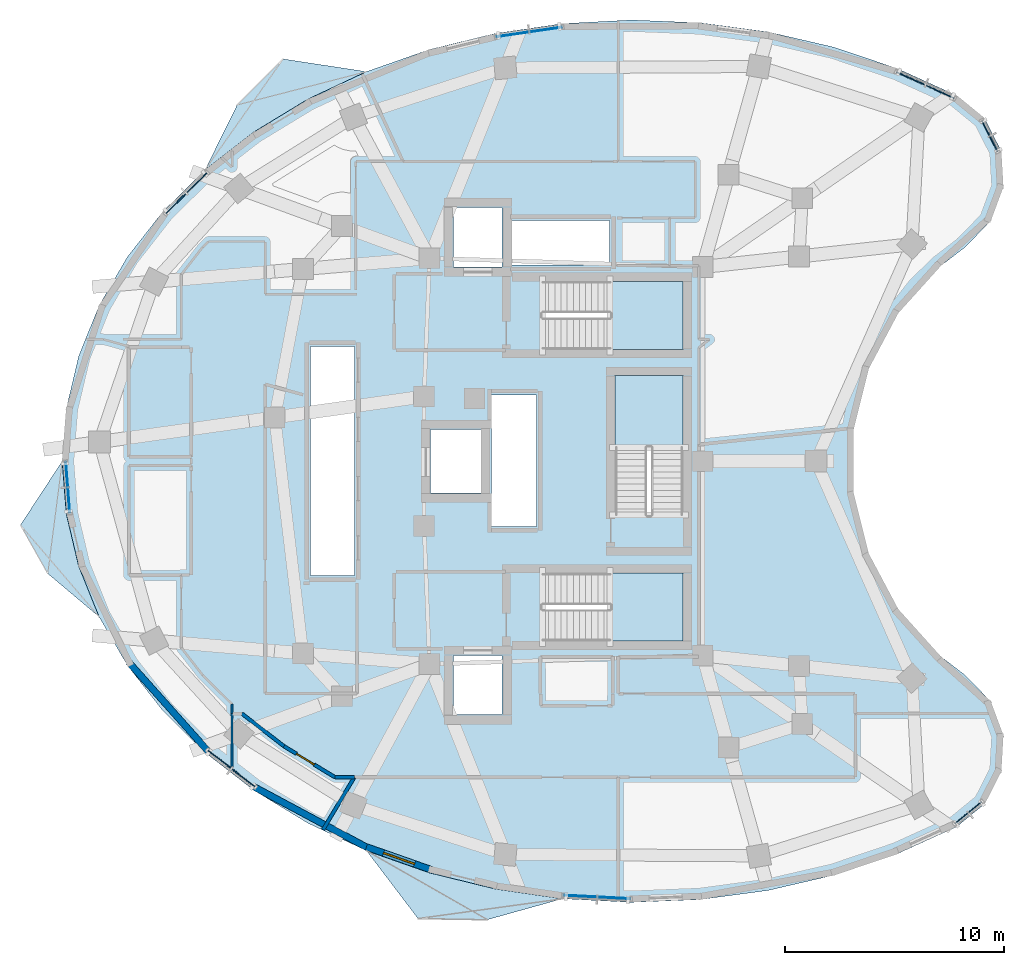
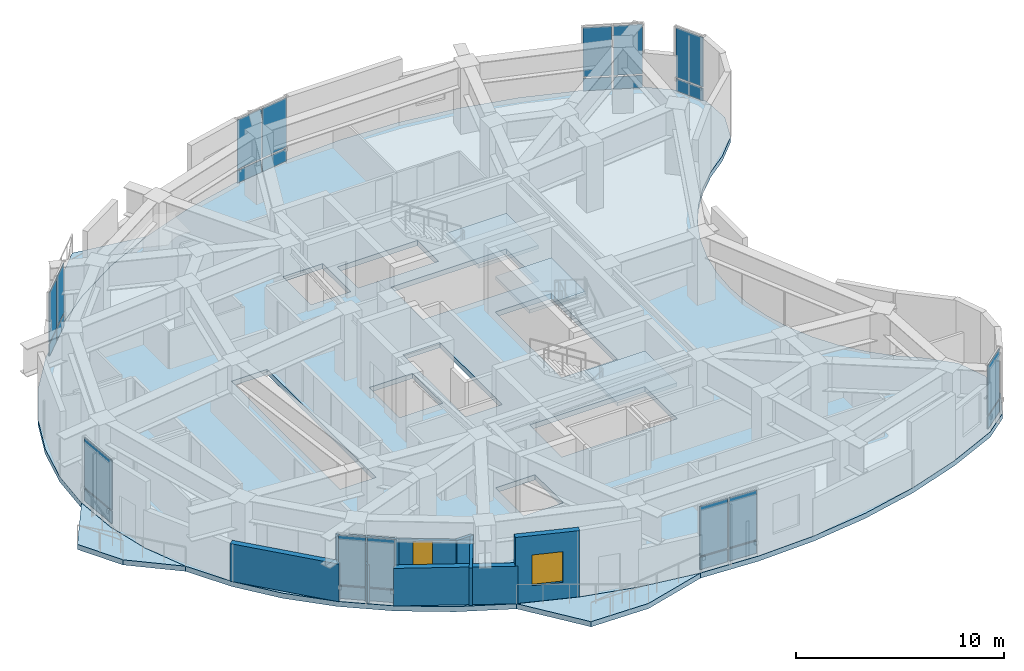
# One storey, part 6 of 13: 26 plates, 9 walls, 7 slabs, 1 door, 1 window, 2 openings, 11 elements without a shape of their own.
"""IFC4 building model written with IfcOpenShell, lengths in metres."""

from ifc_helpers import new_model, si_unit, direction, frame, frame_2d, origin, origin_2d, place, context, subcontext, project, spatial, polyline, rectangle, outline, extrude, material, layer, layer_set, type_object, element, fill, aggregate, save


model = new_model("IFC4")

# Units and contexts
model_context = context("Model", 3, precision=1e-05, world=origin(), true_north=direction((0.0, 1.0)))
body_context = subcontext(model_context, "Body", "Model", "MODEL_VIEW")
ifc_project = project(units=[si_unit("LENGTHUNIT", "METRE"), si_unit("AREAUNIT", "SQUARE_METRE"), si_unit("VOLUMEUNIT", "CUBIC_METRE"), si_unit("PLANEANGLEUNIT", "RADIAN"), si_unit("MASSUNIT", "GRAM", prefix="KILO")], contexts=[model_context])

# Site, building, storey
site_placement = place(None, origin())
site = spatial("IfcSite", under=ifc_project, at=site_placement, CompositionType="ELEMENT")
building_placement = place(site_placement, origin())
building = spatial("IfcBuilding", under=site, at=building_placement, Name="Korentha Bioscience Tower", CompositionType="ELEMENT")
storey_placement = place(building_placement, frame((0.0, 0.0, 208.800048828125)))
storey = spatial("IfcBuildingStorey", under=building, at=storey_placement, Name="L48", CompositionType="ELEMENT", Elevation=208.800048828125)

# Curtain wall, plates
ifc_material_1 = material(Name="Thermally Broken Aluminium Frame", Category="aluminium")
ifc_layer_1 = layer(ifc_material_1, 0.219970703125, Name="Thermally Broken Aluminium Frame")
ifc_layer_set_1 = layer_set([ifc_layer_1], Name="Thermally Broken Aluminium Frame (CW-T2)")
curtain_wall_type = type_object("IfcCurtainWallType", Name="Solar-Screened Lab Unitised Curtain Wall CW-T2", PredefinedType="USERDEFINED", material=ifc_layer_set_1)
curtain_wall_1_placement = place(storey_placement, origin())
curtain_wall_1 = element("IfcCurtainWall", 1, at=curtain_wall_1_placement, inside=storey, type_object=curtain_wall_type, Name="L48 Curtain Wall 01", ObjectType="UNITISED", PredefinedType="USERDEFINED")
ifc_material_2 = material(Name="Triple-Glazed Low-E Insulated Glass", Category="glass")
ifc_layer_2 = layer(ifc_material_2, 0.0439453125, Name="Triple-Glazed Low-E Insulated Glass")
ifc_layer_set_2 = layer_set([ifc_layer_2], Name="Triple-Glazed Low-E Insulated Glass (GL-44)")
plate_type = type_object("IfcPlateType", Name="Glazed Panel 44mm", PredefinedType="CURTAIN_PANEL", material=ifc_layer_set_2)
plate_1_placement = place(storey_placement, frame((48.370849609375, 43.83203125, 0.08984375), z_axis=(0.0, 0.0, 1.0), x_axis=(-0.910520215031, 0.413464554733, 0.0)))
plate_1 = element("IfcPlate", 2, at=plate_1_placement, type_object=plate_type, Name="CW-L48-01 Bay 1 Glazed Panel 1", PredefinedType="CURTAIN_PANEL", context=body_context, shape_type="SweptSolid", body=[
    extrude(rectangle(XDim=1.390380859375, YDim=0.0439453125, at=origin_2d()), origin(), (0.0, 0.0, 1.0), 0.715087890625),
])
plate_2_placement = place(storey_placement, frame((48.370849609375, 43.83203125, 0.89501953125), z_axis=(0.0, 0.0, 1.0), x_axis=(-0.910520215031, 0.413464554733, 0.0)))
plate_2 = element("IfcPlate", 3, at=plate_2_placement, type_object=plate_type, Name="CW-L48-01 Bay 1 Glazed Panel 2", PredefinedType="CURTAIN_PANEL", context=body_context, shape_type="SweptSolid", body=[
    extrude(rectangle(XDim=1.390380859375, YDim=0.0439453125, at=origin_2d()), origin(), (0.0, 0.0, 1.0), 2.89501953125),
])
plate_3_placement = place(storey_placement, frame((47.02294921875, 44.444091796875, 0.08984375), z_axis=(0.0, 0.0, 1.0), x_axis=(-0.910520215031, 0.413464554733, 0.0)))
plate_3 = element("IfcPlate", 4, at=plate_3_placement, type_object=plate_type, Name="CW-L48-01 Bay 2 Glazed Panel 1", PredefinedType="CURTAIN_PANEL", context=body_context, shape_type="SweptSolid", body=[
    extrude(rectangle(XDim=1.390380859375, YDim=0.0439453125, at=origin_2d()), origin(), (0.0, 0.0, 1.0), 0.715087890625),
])
plate_4_placement = place(storey_placement, frame((47.02294921875, 44.444091796875, 0.89501953125), z_axis=(0.0, 0.0, 1.0), x_axis=(-0.910520215031, 0.413464554733, 0.0)))
plate_4 = element("IfcPlate", 5, at=plate_4_placement, type_object=plate_type, Name="CW-L48-01 Bay 2 Glazed Panel 2", PredefinedType="CURTAIN_PANEL", context=body_context, shape_type="SweptSolid", body=[
    extrude(rectangle(XDim=1.390380859375, YDim=0.0439453125, at=origin_2d()), origin(), (0.0, 0.0, 1.0), 2.89501953125),
])
aggregate(curtain_wall_1, [plate_1, plate_2, plate_3, plate_4])

curtain_wall_2_placement = place(storey_placement, origin())
curtain_wall_2 = element("IfcCurtainWall", 6, at=curtain_wall_2_placement, inside=storey, type_object=curtain_wall_type, Name="L48 Curtain Wall 07", ObjectType="UNITISED", PredefinedType="USERDEFINED")
plate_5_placement = place(storey_placement, frame((30.4111328125, 46.671142578125, 0.08984375), z_axis=(0.0, 0.0, 1.0), x_axis=(-0.989449480287, -0.144878314317, 0.0)))
plate_5 = element("IfcPlate", 7, at=plate_5_placement, type_object=plate_type, Name="CW-L48-07 Bay 1 Glazed Panel 1", PredefinedType="CURTAIN_PANEL", context=body_context, shape_type="SweptSolid", body=[
    extrude(rectangle(XDim=1.46435546875, YDim=0.0439453125, at=origin_2d()), origin(), (0.0, 0.0, 1.0), 0.715087890625),
])
plate_6_placement = place(storey_placement, frame((30.4111328125, 46.671142578125, 0.89501953125), z_axis=(0.0, 0.0, 1.0), x_axis=(-0.989449480287, -0.144878314317, 0.0)))
plate_6 = element("IfcPlate", 8, at=plate_6_placement, type_object=plate_type, Name="CW-L48-07 Bay 1 Glazed Panel 2", PredefinedType="CURTAIN_PANEL", context=body_context, shape_type="SweptSolid", body=[
    extrude(rectangle(XDim=1.46435546875, YDim=0.0439453125, at=origin_2d()), origin(), (0.0, 0.0, 1.0), 2.89501953125),
])
plate_7_placement = place(storey_placement, frame((28.873291015625, 46.44580078125, 0.08984375), z_axis=(0.0, 0.0, 1.0), x_axis=(-0.989449480287, -0.144878314317, 0.0)))
plate_7 = element("IfcPlate", 9, at=plate_7_placement, type_object=plate_type, Name="CW-L48-07 Bay 2 Glazed Panel 1", PredefinedType="CURTAIN_PANEL", context=body_context, shape_type="SweptSolid", body=[
    extrude(rectangle(XDim=1.46435546875, YDim=0.0439453125, at=origin_2d()), origin(), (0.0, 0.0, 1.0), 0.715087890625),
])
plate_8_placement = place(storey_placement, frame((28.873291015625, 46.44580078125, 0.89501953125), z_axis=(0.0, 0.0, 1.0), x_axis=(-0.989449480287, -0.144878314317, 0.0)))
plate_8 = element("IfcPlate", 10, at=plate_8_placement, type_object=plate_type, Name="CW-L48-07 Bay 2 Glazed Panel 2", PredefinedType="CURTAIN_PANEL", context=body_context, shape_type="SweptSolid", body=[
    extrude(rectangle(XDim=1.46435546875, YDim=0.0439453125, at=origin_2d()), origin(), (0.0, 0.0, 1.0), 2.89501953125),
])
aggregate(curtain_wall_2, [plate_5, plate_6, plate_7, plate_8])

curtain_wall_3_placement = place(storey_placement, origin())
curtain_wall_3 = element("IfcCurtainWall", 11, at=curtain_wall_3_placement, inside=storey, type_object=curtain_wall_type, Name="L48 Curtain Wall 13", ObjectType="UNITISED", PredefinedType="USERDEFINED")
plate_9_placement = place(storey_placement, frame((14.4990234375, 39.687255859375, 0.08984375), z_axis=(0.0, 0.0, 1.0), x_axis=(-0.711177694756, -0.703012294688, 0.0)))
plate_9 = element("IfcPlate", 12, at=plate_9_placement, type_object=plate_type, Name="CW-L48-13 Bay 1 Glazed Panel 1", PredefinedType="CURTAIN_PANEL", context=body_context, shape_type="SweptSolid", body=[
    extrude(rectangle(XDim=1.260986328125, YDim=0.0439453125, at=origin_2d()), origin(), (0.0, 0.0, 1.0), 0.715087890625),
])
plate_10_placement = place(storey_placement, frame((14.4990234375, 39.687255859375, 0.89501953125), z_axis=(0.0, 0.0, 1.0), x_axis=(-0.711177694756, -0.703012294688, 0.0)))
plate_10 = element("IfcPlate", 13, at=plate_10_placement, type_object=plate_type, Name="CW-L48-13 Bay 1 Glazed Panel 2", PredefinedType="CURTAIN_PANEL", context=body_context, shape_type="SweptSolid", body=[
    extrude(rectangle(XDim=1.260986328125, YDim=0.0439453125, at=origin_2d()), origin(), (0.0, 0.0, 1.0), 2.89501953125),
])
plate_11_placement = place(storey_placement, frame((13.538330078125, 38.737548828125, 0.08984375), z_axis=(0.0, 0.0, 1.0), x_axis=(-0.711177694756, -0.703012294688, 0.0)))
plate_11 = element("IfcPlate", 14, at=plate_11_placement, type_object=plate_type, Name="CW-L48-13 Bay 2 Glazed Panel 1", PredefinedType="CURTAIN_PANEL", context=body_context, shape_type="SweptSolid", body=[
    extrude(rectangle(XDim=1.260986328125, YDim=0.0439453125, at=origin_2d()), origin(), (0.0, 0.0, 1.0), 0.715087890625),
])
plate_12_placement = place(storey_placement, frame((13.538330078125, 38.737548828125, 0.89501953125), z_axis=(0.0, 0.0, 1.0), x_axis=(-0.711177694756, -0.703012294688, 0.0)))
plate_12 = element("IfcPlate", 15, at=plate_12_placement, type_object=plate_type, Name="CW-L48-13 Bay 2 Glazed Panel 2", PredefinedType="CURTAIN_PANEL", context=body_context, shape_type="SweptSolid", body=[
    extrude(rectangle(XDim=1.260986328125, YDim=0.0439453125, at=origin_2d()), origin(), (0.0, 0.0, 1.0), 2.89501953125),
])
aggregate(curtain_wall_3, [plate_9, plate_10, plate_11, plate_12])

curtain_wall_4_placement = place(storey_placement, origin())
curtain_wall_4 = element("IfcCurtainWall", 16, at=curtain_wall_4_placement, inside=storey, type_object=curtain_wall_type, Name="L48 Curtain Wall 19", ObjectType="UNITISED", PredefinedType="USERDEFINED")
plate_13_placement = place(storey_placement, frame((8.61279296875, 25.806640625, 0.08984375), z_axis=(0.0, 0.0, 1.0), x_axis=(0.077987717013, -0.996954319914, 0.0)))
plate_13 = element("IfcPlate", 17, at=plate_13_placement, type_object=plate_type, Name="CW-L48-19 Bay 1 Glazed Panel 1", PredefinedType="CURTAIN_PANEL", context=body_context, shape_type="SweptSolid", body=[
    extrude(rectangle(XDim=2.319091796875, YDim=0.0439453125, at=origin_2d()), origin(), (0.0, 0.0, 1.0), 0.715087890625),
])
plate_14_placement = place(storey_placement, frame((8.61279296875, 25.806640625, 0.89501953125), z_axis=(0.0, 0.0, 1.0), x_axis=(0.077987717013, -0.996954319914, 0.0)))
plate_14 = element("IfcPlate", 18, at=plate_14_placement, type_object=plate_type, Name="CW-L48-19 Bay 1 Glazed Panel 2", PredefinedType="CURTAIN_PANEL", context=body_context, shape_type="SweptSolid", body=[
    extrude(rectangle(XDim=2.319091796875, YDim=0.0439453125, at=origin_2d()), origin(), (0.0, 0.0, 1.0), 2.89501953125),
])
aggregate(curtain_wall_4, [plate_13, plate_14])

curtain_wall_5_placement = place(storey_placement, origin())
curtain_wall_5 = element("IfcCurtainWall", 19, at=curtain_wall_5_placement, inside=storey, type_object=curtain_wall_type, Name="L48 Curtain Wall 25", ObjectType="UNITISED", PredefinedType="USERDEFINED")
plate_15_placement = place(storey_placement, frame((15.523681640625, 13.41650390625, 0.08984375), z_axis=(0.0, 0.0, 1.0), x_axis=(0.790346099854, -0.612660625833, 0.0)))
plate_15 = element("IfcPlate", 20, at=plate_15_placement, type_object=plate_type, Name="CW-L48-25 Bay 1 Glazed Panel 1", PredefinedType="CURTAIN_PANEL", context=body_context, shape_type="SweptSolid", body=[
    extrude(rectangle(XDim=1.3046875, YDim=0.0439453125, at=origin_2d()), origin(), (0.0, 0.0, 1.0), 0.715087890625),
])
plate_16_placement = place(storey_placement, frame((15.523681640625, 13.41650390625, 0.89501953125), z_axis=(0.0, 0.0, 1.0), x_axis=(0.790346099854, -0.612660625833, 0.0)))
plate_16 = element("IfcPlate", 21, at=plate_16_placement, type_object=plate_type, Name="CW-L48-25 Bay 1 Glazed Panel 2", PredefinedType="CURTAIN_PANEL", context=body_context, shape_type="SweptSolid", body=[
    extrude(rectangle(XDim=1.3046875, YDim=0.0439453125, at=origin_2d()), origin(), (0.0, 0.0, 1.0), 2.89501953125),
])
plate_17_placement = place(storey_placement, frame((16.6259765625, 12.562255859375, 0.08984375), z_axis=(0.0, 0.0, 1.0), x_axis=(0.790346099854, -0.612660625833, 0.0)))
plate_17 = element("IfcPlate", 22, at=plate_17_placement, type_object=plate_type, Name="CW-L48-25 Bay 2 Glazed Panel 1", PredefinedType="CURTAIN_PANEL", context=body_context, shape_type="SweptSolid", body=[
    extrude(rectangle(XDim=1.3046875, YDim=0.0439453125, at=origin_2d()), origin(), (0.0, 0.0, 1.0), 0.715087890625),
])
plate_18_placement = place(storey_placement, frame((16.6259765625, 12.562255859375, 0.89501953125), z_axis=(0.0, 0.0, 1.0), x_axis=(0.790346099854, -0.612660625833, 0.0)))
plate_18 = element("IfcPlate", 23, at=plate_18_placement, type_object=plate_type, Name="CW-L48-25 Bay 2 Glazed Panel 2", PredefinedType="CURTAIN_PANEL", context=body_context, shape_type="SweptSolid", body=[
    extrude(rectangle(XDim=1.3046875, YDim=0.0439453125, at=origin_2d()), origin(), (0.0, 0.0, 1.0), 2.89501953125),
])
aggregate(curtain_wall_5, [plate_15, plate_16, plate_17, plate_18])

curtain_wall_6_placement = place(storey_placement, origin())
curtain_wall_6 = element("IfcCurtainWall", 24, at=curtain_wall_6_placement, inside=storey, type_object=curtain_wall_type, Name="L48 Curtain Wall 31", ObjectType="UNITISED", PredefinedType="USERDEFINED")
plate_19_placement = place(storey_placement, frame((31.956298828125, 7.176025390625, 0.08984375), z_axis=(0.0, 0.0, 1.0), x_axis=(0.998634603964, -0.052239140168, 0.0)))
plate_19 = element("IfcPlate", 25, at=plate_19_placement, type_object=plate_type, Name="CW-L48-31 Bay 1 Glazed Panel 1", PredefinedType="CURTAIN_PANEL", context=body_context, shape_type="SweptSolid", body=[
    extrude(rectangle(XDim=1.473876953125, YDim=0.0439453125, at=origin_2d()), origin(), (0.0, 0.0, 1.0), 0.715087890625),
])
plate_20_placement = place(storey_placement, frame((31.956298828125, 7.176025390625, 0.89501953125), z_axis=(0.0, 0.0, 1.0), x_axis=(0.998634603964, -0.052239140168, 0.0)))
plate_20 = element("IfcPlate", 26, at=plate_20_placement, type_object=plate_type, Name="CW-L48-31 Bay 1 Glazed Panel 2", PredefinedType="CURTAIN_PANEL", context=body_context, shape_type="SweptSolid", body=[
    extrude(rectangle(XDim=1.473876953125, YDim=0.0439453125, at=origin_2d()), origin(), (0.0, 0.0, 1.0), 2.89501953125),
])
plate_21_placement = place(storey_placement, frame((33.51806640625, 7.09423828125, 0.08984375), z_axis=(0.0, 0.0, 1.0), x_axis=(0.998634603964, -0.052239140168, 0.0)))
plate_21 = element("IfcPlate", 27, at=plate_21_placement, type_object=plate_type, Name="CW-L48-31 Bay 2 Glazed Panel 1", PredefinedType="CURTAIN_PANEL", context=body_context, shape_type="SweptSolid", body=[
    extrude(rectangle(XDim=1.473876953125, YDim=0.0439453125, at=origin_2d()), origin(), (0.0, 0.0, 1.0), 0.715087890625),
])
plate_22_placement = place(storey_placement, frame((33.51806640625, 7.09423828125, 0.89501953125), z_axis=(0.0, 0.0, 1.0), x_axis=(0.998634603964, -0.052239140168, 0.0)))
plate_22 = element("IfcPlate", 28, at=plate_22_placement, type_object=plate_type, Name="CW-L48-31 Bay 2 Glazed Panel 2", PredefinedType="CURTAIN_PANEL", context=body_context, shape_type="SweptSolid", body=[
    extrude(rectangle(XDim=1.473876953125, YDim=0.0439453125, at=origin_2d()), origin(), (0.0, 0.0, 1.0), 2.89501953125),
])
aggregate(curtain_wall_6, [plate_19, plate_20, plate_21, plate_22])

curtain_wall_7_placement = place(storey_placement, origin())
curtain_wall_7 = element("IfcCurtainWall", 29, at=curtain_wall_7_placement, inside=storey, type_object=curtain_wall_type, Name="L48 Curtain Wall 37", ObjectType="UNITISED", PredefinedType="USERDEFINED")
plate_23_placement = place(storey_placement, frame((49.65478515625, 10.978271484375, 0.08984375), z_axis=(0.0, 0.0, 1.0), x_axis=(0.774088224596, 0.633077736571, 0.0)))
plate_23 = element("IfcPlate", 30, at=plate_23_placement, type_object=plate_type, Name="CW-L48-37 Bay 1 Glazed Panel 1", PredefinedType="CURTAIN_PANEL", context=body_context, shape_type="SweptSolid", body=[
    extrude(rectangle(XDim=1.555419921875, YDim=0.0439453125, at=origin_2d()), origin(), (0.0, 0.0, 1.0), 0.715087890625),
])
plate_24_placement = place(storey_placement, frame((49.65478515625, 10.978271484375, 0.89501953125), z_axis=(0.0, 0.0, 1.0), x_axis=(0.774088224596, 0.633077736571, 0.0)))
plate_24 = element("IfcPlate", 31, at=plate_24_placement, type_object=plate_type, Name="CW-L48-37 Bay 1 Glazed Panel 2", PredefinedType="CURTAIN_PANEL", context=body_context, shape_type="SweptSolid", body=[
    extrude(rectangle(XDim=1.555419921875, YDim=0.0439453125, at=origin_2d()), origin(), (0.0, 0.0, 1.0), 2.89501953125),
])
aggregate(curtain_wall_7, [plate_23, plate_24])

curtain_wall_8_placement = place(storey_placement, origin())
curtain_wall_8 = element("IfcCurtainWall", 32, at=curtain_wall_8_placement, inside=storey, type_object=curtain_wall_type, Name="L48 Curtain Wall 61", ObjectType="UNITISED", PredefinedType="USERDEFINED")
plate_25_placement = place(storey_placement, frame((50.6298828125, 41.8115234375, 0.08984375), z_axis=(0.0, 0.0, 1.0), x_axis=(-0.454115695623, 0.89094272262, 0.0)))
plate_25 = element("IfcPlate", 33, at=plate_25_placement, type_object=plate_type, Name="CW-L48-61 Bay 1 Glazed Panel 1", PredefinedType="CURTAIN_PANEL", context=body_context, shape_type="SweptSolid", body=[
    extrude(rectangle(XDim=1.55517578125, YDim=0.0439453125, at=origin_2d()), origin(), (0.0, 0.0, 1.0), 0.715087890625),
])
plate_26_placement = place(storey_placement, frame((50.6298828125, 41.8115234375, 0.89501953125), z_axis=(0.0, 0.0, 1.0), x_axis=(-0.454115695623, 0.89094272262, 0.0)))
plate_26 = element("IfcPlate", 34, at=plate_26_placement, type_object=plate_type, Name="CW-L48-61 Bay 1 Glazed Panel 2", PredefinedType="CURTAIN_PANEL", context=body_context, shape_type="SweptSolid", body=[
    extrude(rectangle(XDim=1.55517578125, YDim=0.0439453125, at=origin_2d()), origin(), (0.0, 0.0, 1.0), 2.89501953125),
])
aggregate(curtain_wall_8, [plate_25, plate_26])

# Slab
ifc_material_3 = material(Name="Concrete C50", Category="concrete")
ifc_layer_3 = layer(ifc_material_3, 0.300048828125, Name="Concrete C50")
ifc_layer_set_3 = layer_set([ifc_layer_3], Name="Concrete C50 (SL-L300)")
slab_type_1 = type_object("IfcSlabType", Name="Laboratory Vibration-Controlled Slab 300", PredefinedType="FLOOR", material=ifc_layer_set_3)
slab_1_placement = place(storey_placement, frame((0.0, 0.0, -0.300048828125)))
element("IfcSlab", 35, at=slab_1_placement, inside=storey, type_object=slab_type_1, Name="L48 Tower Structural Floor Slab", PredefinedType="FLOOR", context=body_context, shape_type="SweptSolid", body=[
    extrude(outline(polyline([(49.115478515625, 43.669677734375), (46.41064453125, 44.89794921875), (43.533935546875, 45.867919921875), (40.526611328125, 46.565185546875), (37.432373046875, 46.97998046875), (34.295654296875, 47.106689453125), (31.161865234375, 46.942626953125), (28.076416015625, 46.490966796875), (25.08349609375, 45.7578125), (22.2265625, 44.753662109375), (19.546875, 43.4931640625), (17.0830078125, 41.99462890625), (14.87060546875, 40.279541015625), (12.941650390625, 38.372802734375), (11.323974609375, 36.3017578125), (10.041015625, 34.096435546875), (9.11083984375, 31.788818359375), (8.547607421875, 29.41162109375), (8.35888671875, 27.0), (8.547607421875, 24.58837890625), (9.11083984375, 22.211181640625), (10.041015625, 19.903564453125), (11.323974609375, 17.6982421875), (12.941650390625, 15.627197265625), (14.87060546875, 13.720458984375), (17.0830078125, 12.00537109375), (19.546875, 10.5068359375), (22.2265625, 9.246337890625), (25.08349609375, 8.2421875), (28.076416015625, 7.509033203125), (31.161865234375, 7.057373046875), (34.295654296875, 6.893310546875), (37.432373046875, 7.02001953125), (40.526611328125, 7.434814453125), (43.533935546875, 8.132080078125), (46.41064453125, 9.10205078125), (49.115478515625, 10.330322265625), (50.396728515625, 11.37841796875), (51.1484375, 12.853271484375), (51.243408203125, 14.505615234375), (50.66552734375, 16.056884765625), (49.5126953125, 17.244873046875), (48.373046875, 18.119384765625), (47.348388671875, 19.12646484375), (46.453857421875, 20.250732421875), (45.703125, 21.475830078125), (45.107421875, 22.783203125), (44.67529296875, 24.1533203125), (44.41357421875, 25.56591796875), (44.325927734375, 27.0), (44.41357421875, 28.43408203125), (44.67529296875, 29.8466796875), (45.107421875, 31.216796875), (45.703125, 32.524169921875), (46.453857421875, 33.749267578125), (47.348388671875, 34.87353515625), (48.373046875, 35.880615234375), (49.5126953125, 36.755126953125), (50.66552734375, 37.943115234375), (51.243408203125, 39.494384765625), (51.1484375, 41.146728515625), (50.396728515625, 42.62158203125), (49.115478515625, 43.669677734375)]), holes=[polyline([(30.25, 32.10009765625), (36.64990234375, 32.10009765625), (36.64990234375, 35.199951171875), (30.25, 35.199951171875), (30.25, 32.10009765625)]), polyline([(30.25, 18.800048828125), (36.64990234375, 18.800048828125), (36.64990234375, 21.89990234375), (30.25, 21.89990234375), (30.25, 18.800048828125)]), polyline([(36.64990234375, 24.550048828125), (36.64990234375, 30.89990234375), (33.550048828125, 30.89990234375), (33.550048828125, 24.550048828125), (36.64990234375, 24.550048828125)]), polyline([(19.679931640625, 21.780029296875), (21.669921875, 21.780029296875), (21.669921875, 32.219970703125), (19.679931640625, 32.219970703125), (19.679931640625, 21.780029296875)]), polyline([(27.929931640625, 24.030029296875), (29.969970703125, 24.030029296875), (29.969970703125, 30.02001953125), (27.929931640625, 30.02001953125), (27.929931640625, 24.030029296875)]), polyline([(28.860107421875, 35.93994140625), (33.31005859375, 35.93994140625), (33.31005859375, 37.9599609375), (28.860107421875, 37.9599609375), (28.860107421875, 35.93994140625)]), polyline([(26.199951171875, 15.449951171875), (28.39990234375, 15.449951171875), (28.39990234375, 18.14990234375), (26.199951171875, 18.14990234375), (26.199951171875, 15.449951171875)]), polyline([(26.199951171875, 35.85009765625), (28.39990234375, 35.85009765625), (28.39990234375, 38.550048828125), (26.199951171875, 38.550048828125), (26.199951171875, 35.85009765625)]), polyline([(25.14990234375, 25.550048828125), (27.550048828125, 25.550048828125), (27.550048828125, 28.449951171875), (25.14990234375, 28.449951171875), (25.14990234375, 25.550048828125)])]), origin(), (0.0, 0.0, 1.0), 0.300048828125),
])

# Stair, slab
ifc_material_4 = material(Name="Precast Concrete C50", Category="concrete")
stair_type = type_object("IfcStairType", Name="Core Exit Dog-Leg Stair 1450", PredefinedType="HALF_TURN_STAIR", material=ifc_material_4)
stair_1_placement = place(storey_placement, origin())
stair_1 = element("IfcStair", 36, at=stair_1_placement, inside=storey, type_object=stair_type, Name="L48 Tower North Pressurized Exit Stair ST-1", PredefinedType="HALF_TURN_STAIR")
ifc_layer_4 = layer(ifc_material_3, 0.199951171875, Name="Concrete C50")
ifc_layer_set_4 = layer_set([ifc_layer_4], Name="Concrete C50 (SL-LND)")
slab_type_2 = type_object("IfcSlabType", Name="Landing Slab 200", PredefinedType="LANDING", material=ifc_layer_set_4)
slab_2_placement = place(storey_placement, frame((0.0, 0.0, 1.89990234375)))
slab_2 = element("IfcSlab", 37, at=slab_2_placement, type_object=slab_type_2, Name="ST-1 landing 1", PredefinedType="LANDING", context=body_context, shape_type="SweptSolid", body=[
    extrude(outline(polyline([(33.330078125, 32.10009765625), (36.64990234375, 32.10009765625), (36.64990234375, 35.199951171875), (33.330078125, 35.199951171875), (33.330078125, 32.10009765625)])), origin(), (0.0, 0.0, 1.0), 0.199951171875),
])
aggregate(stair_1, [slab_2])

stair_2_placement = place(storey_placement, origin())
stair_2 = element("IfcStair", 38, at=stair_2_placement, inside=storey, type_object=stair_type, Name="L48 Tower South Pressurized Exit Stair ST-2", PredefinedType="HALF_TURN_STAIR")
slab_3_placement = place(storey_placement, frame((0.0, 0.0, 1.89990234375)))
slab_3 = element("IfcSlab", 39, at=slab_3_placement, type_object=slab_type_2, Name="ST-2 landing 1", PredefinedType="LANDING", context=body_context, shape_type="SweptSolid", body=[
    extrude(outline(polyline([(33.330078125, 18.800048828125), (36.64990234375, 18.800048828125), (36.64990234375, 21.89990234375), (33.330078125, 21.89990234375), (33.330078125, 18.800048828125)])), origin(), (0.0, 0.0, 1.0), 0.199951171875),
])
aggregate(stair_2, [slab_3])

stair_3_placement = place(storey_placement, origin())
stair_3 = element("IfcStair", 40, at=stair_3_placement, inside=storey, type_object=stair_type, Name="L48 Tower Central Pressurized Exit Stair ST-3", PredefinedType="HALF_TURN_STAIR")
slab_4_placement = place(storey_placement, frame((0.0, 0.0, 1.89990234375)))
slab_4 = element("IfcSlab", 41, at=slab_4_placement, type_object=slab_type_2, Name="ST-3 landing 1", PredefinedType="LANDING", context=body_context, shape_type="SweptSolid", body=[
    extrude(outline(polyline([(36.64990234375, 27.6298828125), (36.64990234375, 30.89990234375), (33.550048828125, 30.89990234375), (33.550048828125, 27.6298828125), (36.64990234375, 27.6298828125)])), origin(), (0.0, 0.0, 1.0), 0.199951171875),
])
aggregate(stair_3, [slab_4])

# Slabs
ifc_layer_5 = layer(ifc_material_3, 0.300048828125, Name="Concrete C50")
ifc_layer_set_5 = layer_set([ifc_layer_5], Name="Concrete C50 (BS-240)")
slab_type_3 = type_object("IfcSlabType", Name="Sawtooth Sun-Ledge Balcony Slab 240", PredefinedType="USERDEFINED", material=ifc_layer_set_5)
slab_5_placement = place(storey_placement, frame((0.0, 0.0, -0.300048828125)))
element("IfcSlab", 42, at=slab_5_placement, inside=storey, type_object=slab_type_3, Name="L48 Sun-Ledge Balcony 01", ObjectType="BALCONY", PredefinedType="USERDEFINED", context=body_context, shape_type="SweptSolid", body=[
    extrude(outline(polyline([(14.87060546875, 40.279541015625), (17.0830078125, 41.99462890625), (19.546875, 43.4931640625), (22.2265625, 44.753662109375), (18.4296875, 45.330078125), (16.32958984375, 43.2333984375), (14.87060546875, 40.279541015625)])), origin(), (0.0, 0.0, 1.0), 0.300048828125),
])
slab_6_placement = place(storey_placement, frame((0.0, 0.0, -0.300048828125)))
element("IfcSlab", 43, at=slab_6_placement, inside=storey, type_object=slab_type_3, Name="L48 Sun-Ledge Balcony 02", ObjectType="BALCONY", PredefinedType="USERDEFINED", context=body_context, shape_type="SweptSolid", body=[
    extrude(outline(polyline([(10.041015625, 19.903564453125), (9.11083984375, 22.211181640625), (8.547607421875, 24.58837890625), (8.35888671875, 27.0), (6.45556640625, 24.09228515625), (7.699951171875, 21.876953125), (10.041015625, 19.903564453125)])), origin(), (0.0, 0.0, 1.0), 0.300048828125),
])
slab_7_placement = place(storey_placement, frame((0.0, 0.0, -0.300048828125)))
element("IfcSlab", 44, at=slab_7_placement, inside=storey, type_object=slab_type_3, Name="L48 Sun-Ledge Balcony 03", ObjectType="BALCONY", PredefinedType="USERDEFINED", context=body_context, shape_type="SweptSolid", body=[
    extrude(outline(polyline([(31.161865234375, 7.057373046875), (28.076416015625, 7.509033203125), (25.08349609375, 8.2421875), (22.2265625, 9.246337890625), (24.572021484375, 6.154052734375), (27.731201171875, 6.100830078125), (31.161865234375, 7.057373046875)])), origin(), (0.0, 0.0, 1.0), 0.300048828125),
])

# Walls
ifc_material_5 = material(Name="Fire-Rated Framed Glass", Category="glass")
ifc_layer_6 = layer(ifc_material_5, 0.110107421875, Name="Fire-Rated Framed Glass")
ifc_layer_set_6 = layer_set([ifc_layer_6], Name="Fire-Rated Framed Glass (IW-G110)")
wall_type_1 = type_object("IfcWallType", Name="Demountable Glazed Office Partition 110", PredefinedType="MOVABLE", material=ifc_layer_set_6)
wall_1_placement = place(storey_placement, frame((16.097900390625, 15.924072265625, 0.0), z_axis=(0.0, 0.0, 1.0), x_axis=(0.0, -1.0, 0.0)))
element("IfcWall", 45, at=wall_1_placement, inside=storey, type_object=wall_type_1, Name="L48 Interior Partition 034", PredefinedType="MOVABLE", context=body_context, shape_type="SweptSolid", body=[
    extrude(rectangle(XDim=0.421875, YDim=0.110107421875, at=frame_2d((0.2109375, 0.0))), origin(), (0.0, 0.0, 1.0), 2.219970703125),
])
wall_2_placement = place(storey_placement, frame((16.097900390625, 15.497802734375, 0.0), z_axis=(0.0, 0.0, 1.0), x_axis=(0.0, -1.0, 0.0)))
element("IfcWall", 46, at=wall_2_placement, inside=storey, type_object=wall_type_1, Name="L48 Interior Partition 035", PredefinedType="MOVABLE", context=body_context, shape_type="SweptSolid", body=[
    extrude(rectangle(XDim=2.6318359375, YDim=0.110107421875, at=frame_2d((1.31591796875, 0.0))), origin(), (0.0, 0.0, 1.0), 2.219970703125),
])

# Wall, opening, door
ifc_material_6 = material(Name="Gypsum-Clad Steel Stud", Category="steel")
ifc_layer_7 = layer(ifc_material_6, 0.159912109375, Name="Gypsum-Clad Steel Stud")
ifc_layer_set_7 = layer_set([ifc_layer_7], Name="Gypsum-Clad Steel Stud (IW-C160)")
wall_type_2 = type_object("IfcWallType", Name="Fire-Rated Corridor Partition Wall 160", PredefinedType="PARTITIONING", material=ifc_layer_set_7)
wall_3_placement = place(storey_placement, frame((18.4638671875, 14.009765625, 0.0), z_axis=(0.0, 0.0, 1.0), x_axis=(0.854383333884, -0.519643261076, 0.0)))
wall_3 = element("IfcWall", 47, at=wall_3_placement, inside=storey, type_object=wall_type_2, Name="L48 Biospecimen Archive Store 03 Entrance Wall", PredefinedType="PARTITIONING", context=body_context, shape_type="SweptSolid", body=[
    extrude(rectangle(XDim=2.729248046875, YDim=0.159912109375, at=frame_2d((1.36474609375, 0.0))), origin(), (0.0, 0.0, 1.0), 2.219970703125),
])
opening_1_placement = place(wall_3_placement, frame((0.66650390625, 0.0, 0.0)))
opening_1 = element("IfcOpeningElement", 48, at=opening_1_placement, cuts=wall_3, Name="Opening ID-10L", PredefinedType="OPENING", context=body_context, shape_type="SweptSolid", body=[
    extrude(rectangle(XDim=0.949951171875, YDim=2.14990234375, at=frame_2d((0.47509765625, 1.074951171875))), frame((0.0, 0.0947265625, 0.0), z_axis=(0.0, -1.0, 0.0), x_axis=(1.0, 0.0, 0.0)), (0.0, 0.0, 1.0), 0.189697265625),
])
ifc_material_7 = material(Name="Phenolic Laminate Timber Core", Category="wood")
door_type = type_object("IfcDoorType", Name="Laboratory Single Leaf Door 950x2150 Left", OperationType="SINGLE_SWING_LEFT", PredefinedType="DOOR", material=ifc_material_7)
door_placement = place(opening_1_placement, origin())
door = element("IfcDoor", 49, at=door_placement, inside=storey, type_object=door_type, Name="L48 Biospecimen Archive Store 03 Door", OperationType="SINGLE_SWING_LEFT", OverallHeight=2.14990234375, OverallWidth=0.949951171875, PredefinedType="DOOR", context=body_context, shape_type="SweptSolid", body=[
    extrude(rectangle(XDim=0.949951171875, YDim=2.14990234375, at=frame_2d((0.47509765625, 1.074951171875))), frame((0.0, 0.02490234375, 0.0), z_axis=(0.0, -1.0, 0.0), x_axis=(1.0, 0.0, 0.0)), (0.0, 0.0, 1.0), 0.050048828125),
])
fill(opening_1, door)

# Walls
wall_4_placement = place(storey_placement, frame((16.5439453125, 15.498046875, 0.0), z_axis=(0.0, 0.0, 1.0), x_axis=(0.790342017468, -0.612665892167, 0.0)))
element("IfcWall", 50, at=wall_4_placement, inside=storey, type_object=wall_type_2, Name="L48 Interior Partition 041", PredefinedType="PARTITIONING", context=body_context, shape_type="SweptSolid", body=[
    extrude(rectangle(XDim=2.427978515625, YDim=0.159912109375, at=frame_2d((1.2138671875, 0.0))), origin(), (0.0, 0.0, 1.0), 2.219970703125),
])
wall_5_placement = place(storey_placement, frame((20.80078125, 12.590087890625, 0.0), z_axis=(0.0, 0.0, 1.0), x_axis=(1.0, 0.0, 0.0)))
element("IfcWall", 51, at=wall_5_placement, inside=storey, type_object=wall_type_2, Name="L48 Interior Partition 042", PredefinedType="PARTITIONING", context=body_context, shape_type="SweptSolid", body=[
    extrude(rectangle(XDim=0.8681640625, YDim=0.159912109375, at=frame_2d((0.43408203125, 0.0))), origin(), (0.0, 0.0, 1.0), 2.219970703125),
])
wall_6_placement = place(storey_placement, frame((21.6689453125, 12.590087890625, 0.0), z_axis=(0.0, 0.0, 1.0), x_axis=(-0.51209195038, -0.858930634194, 0.0)))
element("IfcWall", 52, at=wall_6_placement, inside=storey, type_object=wall_type_2, Name="L48 Interior Partition 043", PredefinedType="PARTITIONING", context=body_context, shape_type="SweptSolid", body=[
    extrude(rectangle(XDim=2.780517578125, YDim=0.159912109375, at=frame_2d((1.39013671875, 0.0))), origin(), (0.0, 0.0, 1.0), 2.219970703125),
])

# Wall, opening, window
ifc_material_8 = material(Name="Honed Limestone Precast Concrete C40", Category="masonry")
ifc_layer_8 = layer(ifc_material_8, 0.300048828125, Name="Honed Limestone Precast Concrete C40")
ifc_layer_set_8 = layer_set([ifc_layer_8], Name="Honed Limestone Precast Concrete C40 (EW-ST300)")
wall_type_3 = type_object("IfcWallType", Name="Honed Limestone Cavity Spandrel Wall 300", PredefinedType="STANDARD", material=ifc_layer_set_8)
wall_7_placement = place(storey_placement, frame((22.22314453125, 9.417236328125, 0.0), z_axis=(0.0, 0.0, 1.0), x_axis=(0.94341621231, -0.331610992506, 0.0)))
wall_7 = element("IfcWall", 53, at=wall_7_placement, inside=storey, type_object=wall_type_3, Name="L48 Honed Limestone Spandrel Wall 28", PredefinedType="STANDARD", context=body_context, shape_type="SweptSolid", body=[
    extrude(rectangle(XDim=3.148193359375, YDim=0.300048828125, at=frame_2d((1.57421875, 0.0))), origin(), (0.0, 0.0, 1.0), 3.8798828125),
])
opening_2_placement = place(wall_7_placement, frame((0.82421875, 0.0, 0.949951171875)))
opening_2 = element("IfcOpeningElement", 54, at=opening_2_placement, cuts=wall_7, Name="Opening WN-02", PredefinedType="OPENING", context=body_context, shape_type="SweptSolid", body=[
    extrude(rectangle(XDim=1.5, YDim=1.800048828125, at=frame_2d((0.75, 0.89990234375))), frame((0.0, 0.1650390625, 0.0), z_axis=(0.0, -1.0, 0.0), x_axis=(1.0, 0.0, 0.0)), (0.0, 0.0, 1.0), 0.329833984375),
])
ifc_material_9 = material(Name="Thermally Broken Aluminium Triple Glazing", Category="aluminium")
window_type = type_object("IfcWindowType", Name="Acoustic Operable Office Window 1500x1800", PartitioningType="DOUBLE_PANEL_VERTICAL", PredefinedType="WINDOW", material=ifc_material_9)
window_placement = place(opening_2_placement, origin())
window = element("IfcWindow", 55, at=window_placement, inside=storey, type_object=window_type, Name="L48 Facade Window 28", OverallHeight=1.800048828125, OverallWidth=1.5, PartitioningType="DOUBLE_PANEL_VERTICAL", PredefinedType="WINDOW", context=body_context, shape_type="SweptSolid", body=[
    extrude(rectangle(XDim=1.5, YDim=1.800048828125, at=frame_2d((0.75, 0.89990234375))), frame((0.0, 0.030029296875, 0.0), z_axis=(0.0, -1.0, 0.0), x_axis=(1.0, 0.0, 0.0)), (0.0, 0.0, 1.0), 0.06005859375),
])
fill(opening_2, window)

# Walls
wall_8_placement = place(storey_placement, frame((11.375244140625, 17.85107421875, 0.0), z_axis=(0.0, 0.0, 1.0), x_axis=(0.66549767703, -0.746399920866, 0.0)))
element("IfcWall", 56, at=wall_8_placement, inside=storey, type_object=wall_type_3, Name="L48 Limestone Perimeter Closure Wall 23", PredefinedType="STANDARD", context=body_context, shape_type="SweptSolid", body=[
    extrude(rectangle(XDim=5.4892578125, YDim=0.300048828125, at=frame_2d((2.74462890625, 0.0))), origin(), (0.0, 0.0, 1.0), 2.204833984375),
])
wall_9_placement = place(storey_placement, frame((17.078857421875, 12.16650390625, 0.0), z_axis=(0.0, 0.0, 1.0), x_axis=(0.88123472541, -0.472678917164, 0.0)))
element("IfcWall", 57, at=wall_9_placement, inside=storey, type_object=wall_type_3, Name="L48 Limestone Perimeter Closure Wall 26", PredefinedType="STANDARD", context=body_context, shape_type="SweptSolid", body=[
    extrude(rectangle(XDim=5.99658203125, YDim=0.300048828125, at=frame_2d((2.998291015625, 0.0))), origin(), (0.0, 0.0, 1.0), 2.204833984375),
])

save(model, "model.ifc")
